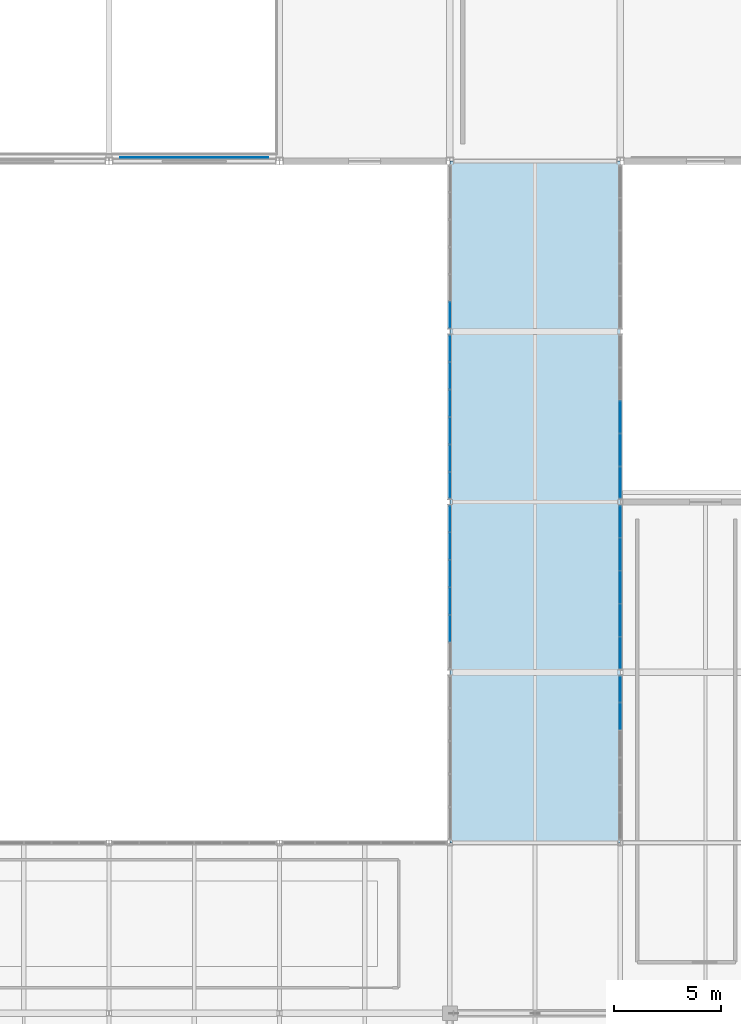
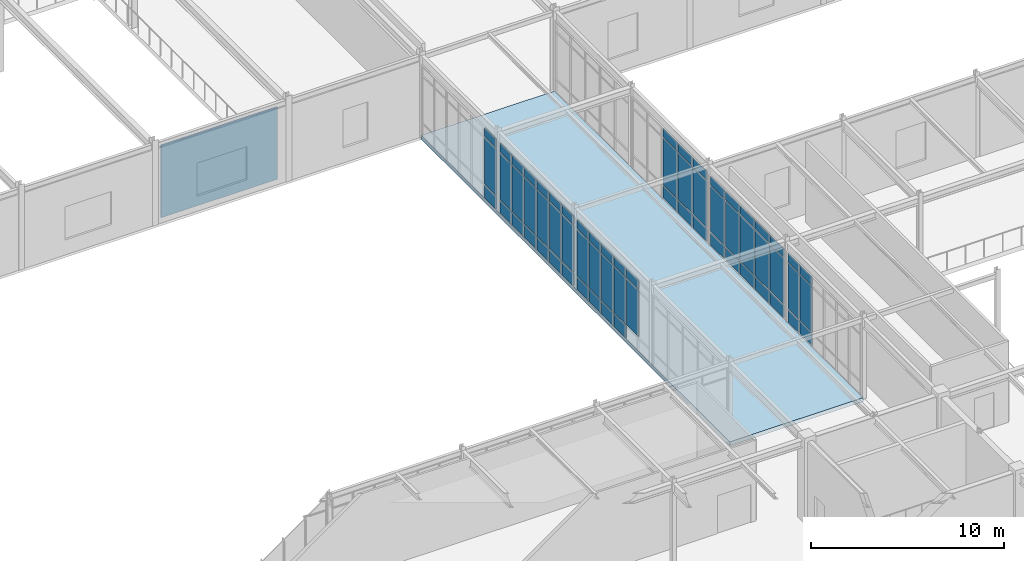
# One storey, part 94 of 184: 66 plates, 1 slab, 6 elements without a shape of their own.
"""IFC4 building model written with IfcOpenShell, lengths in metres."""

from ifc_helpers import new_model, si_unit, direction, frame, origin, origin_2d, place, context, subcontext, project, spatial, polyline, rectangle, outline, extrude, material, layer, layer_set, type_object, element, aggregate, save


model = new_model("IFC4")

# Units and contexts
model_context = context("Model", 3, precision=1e-05, world=origin(), true_north=direction((0.0, 1.0)))
body_context = subcontext(model_context, "Body", "Model", "MODEL_VIEW")
ifc_project = project(units=[si_unit("LENGTHUNIT", "METRE"), si_unit("AREAUNIT", "SQUARE_METRE"), si_unit("VOLUMEUNIT", "CUBIC_METRE"), si_unit("PLANEANGLEUNIT", "RADIAN"), si_unit("MASSUNIT", "GRAM", prefix="KILO")], contexts=[model_context])

# Site, building, storey
site_placement = place(None, origin())
site = spatial("IfcSite", under=ifc_project, at=site_placement, CompositionType="ELEMENT")
building_placement = place(site_placement, origin())
building = spatial("IfcBuilding", under=site, at=building_placement, Name="Zhaolan Boulevard Law Courts", CompositionType="ELEMENT")
storey_placement = place(building_placement, frame((0.0, 0.0, 5.39990234375)))
storey = spatial("IfcBuildingStorey", under=building, at=storey_placement, Name="L01", CompositionType="ELEMENT", Elevation=5.39990234375)

# Curtain wall, plates
ifc_material_1 = material(Name="Thermally broken aluminium and low-E glazing", Category="aluminium")
curtain_wall_type_1 = type_object("IfcCurtainWallType", Name="CURTAIN WALL M3", PredefinedType="USERDEFINED", material=ifc_material_1)
curtain_wall_1_placement = place(storey_placement, origin())
curtain_wall_1 = element("IfcCurtainWall", 1, at=curtain_wall_1_placement, inside=storey, type_object=curtain_wall_type_1, Name="Curtain Wall CW-L01-075", ObjectType="CURTAIN WALL", PredefinedType="USERDEFINED")
ifc_material_2 = material(Name="Acoustic laminated low-E glazing", Category="glass")
ifc_layer_1 = layer(ifc_material_2, 0.031982421875)
ifc_layer_set_1 = layer_set([ifc_layer_1])
plate_type_1 = type_object("IfcPlateType", Name="CWPANEL LOW E32", PredefinedType="CURTAIN_PANEL", material=ifc_layer_set_1)
plate_1_placement = place(storey_placement, frame((116.0, 45.211181640625, 0.06494140625), z_axis=(0.0, 0.0, 1.0), x_axis=(0.0, -1.0, 0.0)))
plate_1 = element("IfcPlate", 2, at=plate_1_placement, type_object=plate_type_1, Name="CW-L01-075 panel 1.1", PredefinedType="CURTAIN_PANEL", context=body_context, shape_type="SweptSolid", body=[
    extrude(rectangle(XDim=1.193603515625, YDim=0.031982421875, at=origin_2d()), origin(), (0.0, 0.0, 1.0), 0.802490234375),
])
plate_2_placement = place(storey_placement, frame((116.0, 45.211181640625, 0.9326171875), z_axis=(0.0, 0.0, 1.0), x_axis=(0.0, -1.0, 0.0)))
plate_2 = element("IfcPlate", 3, at=plate_2_placement, type_object=plate_type_1, Name="CW-L01-075 panel 1.2", PredefinedType="CURTAIN_PANEL", context=body_context, shape_type="SweptSolid", body=[
    extrude(rectangle(XDim=1.193603515625, YDim=0.031982421875, at=origin_2d()), origin(), (0.0, 0.0, 1.0), 2.93798828125),
])
plate_3_placement = place(storey_placement, frame((116.0, 45.211181640625, 3.935546875), z_axis=(0.0, 0.0, 1.0), x_axis=(0.0, -1.0, 0.0)))
plate_3 = element("IfcPlate", 4, at=plate_3_placement, type_object=plate_type_1, Name="CW-L01-075 panel 1.3", PredefinedType="CURTAIN_PANEL", context=body_context, shape_type="SweptSolid", body=[
    extrude(rectangle(XDim=1.193603515625, YDim=0.031982421875, at=origin_2d()), origin(), (0.0, 0.0, 1.0), 0.552490234375),
])
plate_4_placement = place(storey_placement, frame((116.0, 43.9365234375, 0.06494140625), z_axis=(0.0, 0.0, 1.0), x_axis=(0.0, -1.0, 0.0)))
plate_4 = element("IfcPlate", 5, at=plate_4_placement, type_object=plate_type_1, Name="CW-L01-075 panel 2.1", PredefinedType="CURTAIN_PANEL", context=body_context, shape_type="SweptSolid", body=[
    extrude(rectangle(XDim=1.22607421875, YDim=0.031982421875, at=origin_2d()), origin(), (0.0, 0.0, 1.0), 0.802490234375),
])
plate_5_placement = place(storey_placement, frame((116.0, 43.9365234375, 0.9326171875), z_axis=(0.0, 0.0, 1.0), x_axis=(0.0, -1.0, 0.0)))
plate_5 = element("IfcPlate", 6, at=plate_5_placement, type_object=plate_type_1, Name="CW-L01-075 panel 2.2", PredefinedType="CURTAIN_PANEL", context=body_context, shape_type="SweptSolid", body=[
    extrude(rectangle(XDim=1.22607421875, YDim=0.031982421875, at=origin_2d()), origin(), (0.0, 0.0, 1.0), 2.93798828125),
])
plate_6_placement = place(storey_placement, frame((116.0, 43.9365234375, 3.935546875), z_axis=(0.0, 0.0, 1.0), x_axis=(0.0, -1.0, 0.0)))
plate_6 = element("IfcPlate", 7, at=plate_6_placement, type_object=plate_type_1, Name="CW-L01-075 panel 2.3", PredefinedType="CURTAIN_PANEL", context=body_context, shape_type="SweptSolid", body=[
    extrude(rectangle(XDim=1.22607421875, YDim=0.031982421875, at=origin_2d()), origin(), (0.0, 0.0, 1.0), 0.552490234375),
])
plate_7_placement = place(storey_placement, frame((116.0, 42.6455078125, 0.06494140625), z_axis=(0.0, 0.0, 1.0), x_axis=(0.0, -1.0, 0.0)))
plate_7 = element("IfcPlate", 8, at=plate_7_placement, type_object=plate_type_1, Name="CW-L01-075 panel 3.1", PredefinedType="CURTAIN_PANEL", context=body_context, shape_type="SweptSolid", body=[
    extrude(rectangle(XDim=1.22607421875, YDim=0.031982421875, at=origin_2d()), origin(), (0.0, 0.0, 1.0), 0.802490234375),
])
plate_8_placement = place(storey_placement, frame((116.0, 42.6455078125, 0.9326171875), z_axis=(0.0, 0.0, 1.0), x_axis=(0.0, -1.0, 0.0)))
plate_8 = element("IfcPlate", 9, at=plate_8_placement, type_object=plate_type_1, Name="CW-L01-075 panel 3.2", PredefinedType="CURTAIN_PANEL", context=body_context, shape_type="SweptSolid", body=[
    extrude(rectangle(XDim=1.22607421875, YDim=0.031982421875, at=origin_2d()), origin(), (0.0, 0.0, 1.0), 2.93798828125),
])
plate_9_placement = place(storey_placement, frame((116.0, 42.6455078125, 3.935546875), z_axis=(0.0, 0.0, 1.0), x_axis=(0.0, -1.0, 0.0)))
plate_9 = element("IfcPlate", 10, at=plate_9_placement, type_object=plate_type_1, Name="CW-L01-075 panel 3.3", PredefinedType="CURTAIN_PANEL", context=body_context, shape_type="SweptSolid", body=[
    extrude(rectangle(XDim=1.22607421875, YDim=0.031982421875, at=origin_2d()), origin(), (0.0, 0.0, 1.0), 0.552490234375),
])
plate_10_placement = place(storey_placement, frame((116.0, 41.3544921875, 0.06494140625), z_axis=(0.0, 0.0, 1.0), x_axis=(0.0, -1.0, 0.0)))
plate_10 = element("IfcPlate", 11, at=plate_10_placement, type_object=plate_type_1, Name="CW-L01-075 panel 4.1", PredefinedType="CURTAIN_PANEL", context=body_context, shape_type="SweptSolid", body=[
    extrude(rectangle(XDim=1.22607421875, YDim=0.031982421875, at=origin_2d()), origin(), (0.0, 0.0, 1.0), 0.802490234375),
])
plate_11_placement = place(storey_placement, frame((116.0, 41.3544921875, 0.9326171875), z_axis=(0.0, 0.0, 1.0), x_axis=(0.0, -1.0, 0.0)))
plate_11 = element("IfcPlate", 12, at=plate_11_placement, type_object=plate_type_1, Name="CW-L01-075 panel 4.2", PredefinedType="CURTAIN_PANEL", context=body_context, shape_type="SweptSolid", body=[
    extrude(rectangle(XDim=1.22607421875, YDim=0.031982421875, at=origin_2d()), origin(), (0.0, 0.0, 1.0), 2.93798828125),
])
plate_12_placement = place(storey_placement, frame((116.0, 41.3544921875, 3.935546875), z_axis=(0.0, 0.0, 1.0), x_axis=(0.0, -1.0, 0.0)))
plate_12 = element("IfcPlate", 13, at=plate_12_placement, type_object=plate_type_1, Name="CW-L01-075 panel 4.3", PredefinedType="CURTAIN_PANEL", context=body_context, shape_type="SweptSolid", body=[
    extrude(rectangle(XDim=1.22607421875, YDim=0.031982421875, at=origin_2d()), origin(), (0.0, 0.0, 1.0), 0.552490234375),
])
plate_13_placement = place(storey_placement, frame((116.0, 40.0634765625, 0.9326171875), z_axis=(0.0, 0.0, 1.0), x_axis=(0.0, -1.0, 0.0)))
plate_13 = element("IfcPlate", 14, at=plate_13_placement, type_object=plate_type_1, Name="CW-L01-075 panel 5.2", PredefinedType="CURTAIN_PANEL", context=body_context, shape_type="SweptSolid", body=[
    extrude(rectangle(XDim=1.22607421875, YDim=0.031982421875, at=origin_2d()), origin(), (0.0, 0.0, 1.0), 2.93798828125),
])
plate_14_placement = place(storey_placement, frame((116.0, 40.0634765625, 3.935546875), z_axis=(0.0, 0.0, 1.0), x_axis=(0.0, -1.0, 0.0)))
plate_14 = element("IfcPlate", 15, at=plate_14_placement, type_object=plate_type_1, Name="CW-L01-075 panel 5.3", PredefinedType="CURTAIN_PANEL", context=body_context, shape_type="SweptSolid", body=[
    extrude(rectangle(XDim=1.22607421875, YDim=0.031982421875, at=origin_2d()), origin(), (0.0, 0.0, 1.0), 0.552490234375),
])
aggregate(curtain_wall_1, [plate_1, plate_2, plate_3, plate_4, plate_5, plate_6, plate_7, plate_8, plate_9, plate_10, plate_11, plate_12, plate_13, plate_14])

ifc_material_3 = material(Name="Thermally broken aluminium and low-E glazing", Category="aluminium")
curtain_wall_type_2 = type_object("IfcCurtainWallType", Name="CURTAIN WALL M4", PredefinedType="USERDEFINED", material=ifc_material_3)
curtain_wall_2_placement = place(storey_placement, origin())
curtain_wall_2 = element("IfcCurtainWall", 16, at=curtain_wall_2_placement, inside=storey, type_object=curtain_wall_type_2, Name="Curtain Wall CW-L01-076", ObjectType="CURTAIN WALL", PredefinedType="USERDEFINED")
plate_15_placement = place(storey_placement, frame((116.0, 53.211181640625, 0.06494140625), z_axis=(0.0, 0.0, 1.0), x_axis=(0.0, -1.0, 0.0)))
plate_15 = element("IfcPlate", 17, at=plate_15_placement, type_object=plate_type_1, Name="CW-L01-076 panel 1.1", PredefinedType="CURTAIN_PANEL", context=body_context, shape_type="SweptSolid", body=[
    extrude(rectangle(XDim=1.193603515625, YDim=0.031982421875, at=origin_2d()), origin(), (0.0, 0.0, 1.0), 0.802490234375),
])
plate_16_placement = place(storey_placement, frame((116.0, 53.211181640625, 0.9326171875), z_axis=(0.0, 0.0, 1.0), x_axis=(0.0, -1.0, 0.0)))
plate_16 = element("IfcPlate", 18, at=plate_16_placement, type_object=plate_type_1, Name="CW-L01-076 panel 1.2", PredefinedType="CURTAIN_PANEL", context=body_context, shape_type="SweptSolid", body=[
    extrude(rectangle(XDim=1.193603515625, YDim=0.031982421875, at=origin_2d()), origin(), (0.0, 0.0, 1.0), 2.93798828125),
])
plate_17_placement = place(storey_placement, frame((116.0, 53.211181640625, 3.935546875), z_axis=(0.0, 0.0, 1.0), x_axis=(0.0, -1.0, 0.0)))
plate_17 = element("IfcPlate", 19, at=plate_17_placement, type_object=plate_type_1, Name="CW-L01-076 panel 1.3", PredefinedType="CURTAIN_PANEL", context=body_context, shape_type="SweptSolid", body=[
    extrude(rectangle(XDim=1.193603515625, YDim=0.031982421875, at=origin_2d()), origin(), (0.0, 0.0, 1.0), 0.552490234375),
])
plate_18_placement = place(storey_placement, frame((116.0, 51.9365234375, 0.06494140625), z_axis=(0.0, 0.0, 1.0), x_axis=(0.0, -1.0, 0.0)))
plate_18 = element("IfcPlate", 20, at=plate_18_placement, type_object=plate_type_1, Name="CW-L01-076 panel 2.1", PredefinedType="CURTAIN_PANEL", context=body_context, shape_type="SweptSolid", body=[
    extrude(rectangle(XDim=1.22607421875, YDim=0.031982421875, at=origin_2d()), origin(), (0.0, 0.0, 1.0), 0.802490234375),
])
plate_19_placement = place(storey_placement, frame((116.0, 51.9365234375, 0.9326171875), z_axis=(0.0, 0.0, 1.0), x_axis=(0.0, -1.0, 0.0)))
plate_19 = element("IfcPlate", 21, at=plate_19_placement, type_object=plate_type_1, Name="CW-L01-076 panel 2.2", PredefinedType="CURTAIN_PANEL", context=body_context, shape_type="SweptSolid", body=[
    extrude(rectangle(XDim=1.22607421875, YDim=0.031982421875, at=origin_2d()), origin(), (0.0, 0.0, 1.0), 2.93798828125),
])
plate_20_placement = place(storey_placement, frame((116.0, 51.9365234375, 3.935546875), z_axis=(0.0, 0.0, 1.0), x_axis=(0.0, -1.0, 0.0)))
plate_20 = element("IfcPlate", 22, at=plate_20_placement, type_object=plate_type_1, Name="CW-L01-076 panel 2.3", PredefinedType="CURTAIN_PANEL", context=body_context, shape_type="SweptSolid", body=[
    extrude(rectangle(XDim=1.22607421875, YDim=0.031982421875, at=origin_2d()), origin(), (0.0, 0.0, 1.0), 0.552490234375),
])
plate_21_placement = place(storey_placement, frame((116.0, 50.6455078125, 0.06494140625), z_axis=(0.0, 0.0, 1.0), x_axis=(0.0, -1.0, 0.0)))
plate_21 = element("IfcPlate", 23, at=plate_21_placement, type_object=plate_type_1, Name="CW-L01-076 panel 3.1", PredefinedType="CURTAIN_PANEL", context=body_context, shape_type="SweptSolid", body=[
    extrude(rectangle(XDim=1.22607421875, YDim=0.031982421875, at=origin_2d()), origin(), (0.0, 0.0, 1.0), 0.802490234375),
])
plate_22_placement = place(storey_placement, frame((116.0, 50.6455078125, 0.9326171875), z_axis=(0.0, 0.0, 1.0), x_axis=(0.0, -1.0, 0.0)))
plate_22 = element("IfcPlate", 24, at=plate_22_placement, type_object=plate_type_1, Name="CW-L01-076 panel 3.2", PredefinedType="CURTAIN_PANEL", context=body_context, shape_type="SweptSolid", body=[
    extrude(rectangle(XDim=1.22607421875, YDim=0.031982421875, at=origin_2d()), origin(), (0.0, 0.0, 1.0), 2.93798828125),
])
plate_23_placement = place(storey_placement, frame((116.0, 50.6455078125, 3.935546875), z_axis=(0.0, 0.0, 1.0), x_axis=(0.0, -1.0, 0.0)))
plate_23 = element("IfcPlate", 25, at=plate_23_placement, type_object=plate_type_1, Name="CW-L01-076 panel 3.3", PredefinedType="CURTAIN_PANEL", context=body_context, shape_type="SweptSolid", body=[
    extrude(rectangle(XDim=1.22607421875, YDim=0.031982421875, at=origin_2d()), origin(), (0.0, 0.0, 1.0), 0.552490234375),
])
plate_24_placement = place(storey_placement, frame((116.0, 49.3544921875, 0.06494140625), z_axis=(0.0, 0.0, 1.0), x_axis=(0.0, -1.0, 0.0)))
plate_24 = element("IfcPlate", 26, at=plate_24_placement, type_object=plate_type_1, Name="CW-L01-076 panel 4.1", PredefinedType="CURTAIN_PANEL", context=body_context, shape_type="SweptSolid", body=[
    extrude(rectangle(XDim=1.22607421875, YDim=0.031982421875, at=origin_2d()), origin(), (0.0, 0.0, 1.0), 0.802490234375),
])
plate_25_placement = place(storey_placement, frame((116.0, 49.3544921875, 0.9326171875), z_axis=(0.0, 0.0, 1.0), x_axis=(0.0, -1.0, 0.0)))
plate_25 = element("IfcPlate", 27, at=plate_25_placement, type_object=plate_type_1, Name="CW-L01-076 panel 4.2", PredefinedType="CURTAIN_PANEL", context=body_context, shape_type="SweptSolid", body=[
    extrude(rectangle(XDim=1.22607421875, YDim=0.031982421875, at=origin_2d()), origin(), (0.0, 0.0, 1.0), 2.93798828125),
])
plate_26_placement = place(storey_placement, frame((116.0, 49.3544921875, 3.935546875), z_axis=(0.0, 0.0, 1.0), x_axis=(0.0, -1.0, 0.0)))
plate_26 = element("IfcPlate", 28, at=plate_26_placement, type_object=plate_type_1, Name="CW-L01-076 panel 4.3", PredefinedType="CURTAIN_PANEL", context=body_context, shape_type="SweptSolid", body=[
    extrude(rectangle(XDim=1.22607421875, YDim=0.031982421875, at=origin_2d()), origin(), (0.0, 0.0, 1.0), 0.552490234375),
])
plate_27_placement = place(storey_placement, frame((116.0, 48.0634765625, 0.06494140625), z_axis=(0.0, 0.0, 1.0), x_axis=(0.0, -1.0, 0.0)))
plate_27 = element("IfcPlate", 29, at=plate_27_placement, type_object=plate_type_1, Name="CW-L01-076 panel 5.1", PredefinedType="CURTAIN_PANEL", context=body_context, shape_type="SweptSolid", body=[
    extrude(rectangle(XDim=1.22607421875, YDim=0.031982421875, at=origin_2d()), origin(), (0.0, 0.0, 1.0), 0.802490234375),
])
plate_28_placement = place(storey_placement, frame((116.0, 48.0634765625, 0.9326171875), z_axis=(0.0, 0.0, 1.0), x_axis=(0.0, -1.0, 0.0)))
plate_28 = element("IfcPlate", 30, at=plate_28_placement, type_object=plate_type_1, Name="CW-L01-076 panel 5.2", PredefinedType="CURTAIN_PANEL", context=body_context, shape_type="SweptSolid", body=[
    extrude(rectangle(XDim=1.22607421875, YDim=0.031982421875, at=origin_2d()), origin(), (0.0, 0.0, 1.0), 2.93798828125),
])
plate_29_placement = place(storey_placement, frame((116.0, 48.0634765625, 3.935546875), z_axis=(0.0, 0.0, 1.0), x_axis=(0.0, -1.0, 0.0)))
plate_29 = element("IfcPlate", 31, at=plate_29_placement, type_object=plate_type_1, Name="CW-L01-076 panel 5.3", PredefinedType="CURTAIN_PANEL", context=body_context, shape_type="SweptSolid", body=[
    extrude(rectangle(XDim=1.22607421875, YDim=0.031982421875, at=origin_2d()), origin(), (0.0, 0.0, 1.0), 0.552490234375),
])
plate_30_placement = place(storey_placement, frame((116.0, 46.788818359375, 0.06494140625), z_axis=(0.0, 0.0, 1.0), x_axis=(0.0, -1.0, 0.0)))
plate_30 = element("IfcPlate", 32, at=plate_30_placement, type_object=plate_type_1, Name="CW-L01-076 panel 6.1", PredefinedType="CURTAIN_PANEL", context=body_context, shape_type="SweptSolid", body=[
    extrude(rectangle(XDim=1.193603515625, YDim=0.031982421875, at=origin_2d()), origin(), (0.0, 0.0, 1.0), 0.802490234375),
])
plate_31_placement = place(storey_placement, frame((116.0, 46.788818359375, 0.9326171875), z_axis=(0.0, 0.0, 1.0), x_axis=(0.0, -1.0, 0.0)))
plate_31 = element("IfcPlate", 33, at=plate_31_placement, type_object=plate_type_1, Name="CW-L01-076 panel 6.2", PredefinedType="CURTAIN_PANEL", context=body_context, shape_type="SweptSolid", body=[
    extrude(rectangle(XDim=1.193603515625, YDim=0.031982421875, at=origin_2d()), origin(), (0.0, 0.0, 1.0), 2.93798828125),
])
plate_32_placement = place(storey_placement, frame((116.0, 46.788818359375, 3.935546875), z_axis=(0.0, 0.0, 1.0), x_axis=(0.0, -1.0, 0.0)))
plate_32 = element("IfcPlate", 34, at=plate_32_placement, type_object=plate_type_1, Name="CW-L01-076 panel 6.3", PredefinedType="CURTAIN_PANEL", context=body_context, shape_type="SweptSolid", body=[
    extrude(rectangle(XDim=1.193603515625, YDim=0.031982421875, at=origin_2d()), origin(), (0.0, 0.0, 1.0), 0.552490234375),
])
aggregate(curtain_wall_2, [plate_15, plate_16, plate_17, plate_18, plate_19, plate_20, plate_21, plate_22, plate_23, plate_24, plate_25, plate_26, plate_27, plate_28, plate_29, plate_30, plate_31, plate_32])

ifc_material_4 = material(Name="Thermally broken aluminium and low-E glazing", Category="aluminium")
curtain_wall_type_3 = type_object("IfcCurtainWallType", Name="CURTAIN WALL M5", PredefinedType="USERDEFINED", material=ifc_material_4)
curtain_wall_3_placement = place(storey_placement, origin())
curtain_wall_3 = element("IfcCurtainWall", 35, at=curtain_wall_3_placement, inside=storey, type_object=curtain_wall_type_3, Name="Curtain Wall CW-L01-077", ObjectType="CURTAIN WALL", PredefinedType="USERDEFINED")
plate_33_placement = place(storey_placement, frame((116.0, 54.78466796875, 0.06494140625), z_axis=(0.0, 0.0, 1.0), x_axis=(0.0, -1.0, 0.0)))
plate_33 = element("IfcPlate", 36, at=plate_33_placement, type_object=plate_type_1, Name="CW-L01-077 panel 6.1", PredefinedType="CURTAIN_PANEL", context=body_context, shape_type="SweptSolid", body=[
    extrude(rectangle(XDim=1.18505859375, YDim=0.031982421875, at=origin_2d()), origin(), (0.0, 0.0, 1.0), 0.802490234375),
])
plate_34_placement = place(storey_placement, frame((116.0, 54.78466796875, 0.9326171875), z_axis=(0.0, 0.0, 1.0), x_axis=(0.0, -1.0, 0.0)))
plate_34 = element("IfcPlate", 37, at=plate_34_placement, type_object=plate_type_1, Name="CW-L01-077 panel 6.2", PredefinedType="CURTAIN_PANEL", context=body_context, shape_type="SweptSolid", body=[
    extrude(rectangle(XDim=1.18505859375, YDim=0.031982421875, at=origin_2d()), origin(), (0.0, 0.0, 1.0), 2.93798828125),
])
plate_35_placement = place(storey_placement, frame((116.0, 54.78466796875, 3.935546875), z_axis=(0.0, 0.0, 1.0), x_axis=(0.0, -1.0, 0.0)))
plate_35 = element("IfcPlate", 38, at=plate_35_placement, type_object=plate_type_1, Name="CW-L01-077 panel 6.3", PredefinedType="CURTAIN_PANEL", context=body_context, shape_type="SweptSolid", body=[
    extrude(rectangle(XDim=1.18505859375, YDim=0.031982421875, at=origin_2d()), origin(), (0.0, 0.0, 1.0), 0.552490234375),
])
aggregate(curtain_wall_3, [plate_33, plate_34, plate_35])

ifc_material_5 = material(Name="Thermally broken aluminium and low-E glazing", Category="aluminium")
curtain_wall_type_4 = type_object("IfcCurtainWallType", Name="CURTAIN WALL M6", PredefinedType="USERDEFINED", material=ifc_material_5)
curtain_wall_4_placement = place(storey_placement, origin())
curtain_wall_4 = element("IfcCurtainWall", 39, at=curtain_wall_4_placement, inside=storey, type_object=curtain_wall_type_4, Name="Curtain Wall CW-L01-078", ObjectType="CURTAIN WALL", PredefinedType="USERDEFINED")
plate_36_placement = place(storey_placement, frame((124.0, 35.9365234375, 0.06494140625), z_axis=(0.0, 0.0, 1.0), x_axis=(0.0, 1.0, 0.0)))
plate_36 = element("IfcPlate", 40, at=plate_36_placement, type_object=plate_type_1, Name="CW-L01-078 panel 5.1", PredefinedType="CURTAIN_PANEL", context=body_context, shape_type="SweptSolid", body=[
    extrude(rectangle(XDim=1.22607421875, YDim=0.031982421875, at=origin_2d()), origin(), (0.0, 0.0, 1.0), 0.802490234375),
])
plate_37_placement = place(storey_placement, frame((124.0, 35.9365234375, 0.9326171875), z_axis=(0.0, 0.0, 1.0), x_axis=(0.0, 1.0, 0.0)))
plate_37 = element("IfcPlate", 41, at=plate_37_placement, type_object=plate_type_1, Name="CW-L01-078 panel 5.2", PredefinedType="CURTAIN_PANEL", context=body_context, shape_type="SweptSolid", body=[
    extrude(rectangle(XDim=1.22607421875, YDim=0.031982421875, at=origin_2d()), origin(), (0.0, 0.0, 1.0), 2.887939453125),
])
plate_38_placement = place(storey_placement, frame((124.0, 35.9365234375, 3.8857421875), z_axis=(0.0, 0.0, 1.0), x_axis=(0.0, 1.0, 0.0)))
plate_38 = element("IfcPlate", 42, at=plate_38_placement, type_object=plate_type_1, Name="CW-L01-078 panel 5.3", PredefinedType="CURTAIN_PANEL", context=body_context, shape_type="SweptSolid", body=[
    extrude(rectangle(XDim=1.22607421875, YDim=0.031982421875, at=origin_2d()), origin(), (0.0, 0.0, 1.0), 0.552490234375),
])
plate_39_placement = place(storey_placement, frame((124.0, 37.211181640625, 0.06494140625), z_axis=(0.0, 0.0, 1.0), x_axis=(0.0, 1.0, 0.0)))
plate_39 = element("IfcPlate", 43, at=plate_39_placement, type_object=plate_type_1, Name="CW-L01-078 panel 6.1", PredefinedType="CURTAIN_PANEL", context=body_context, shape_type="SweptSolid", body=[
    extrude(rectangle(XDim=1.193603515625, YDim=0.031982421875, at=origin_2d()), origin(), (0.0, 0.0, 1.0), 0.802490234375),
])
plate_40_placement = place(storey_placement, frame((124.0, 37.211181640625, 0.9326171875), z_axis=(0.0, 0.0, 1.0), x_axis=(0.0, 1.0, 0.0)))
plate_40 = element("IfcPlate", 44, at=plate_40_placement, type_object=plate_type_1, Name="CW-L01-078 panel 6.2", PredefinedType="CURTAIN_PANEL", context=body_context, shape_type="SweptSolid", body=[
    extrude(rectangle(XDim=1.193603515625, YDim=0.031982421875, at=origin_2d()), origin(), (0.0, 0.0, 1.0), 2.887939453125),
])
plate_41_placement = place(storey_placement, frame((124.0, 37.211181640625, 3.8857421875), z_axis=(0.0, 0.0, 1.0), x_axis=(0.0, 1.0, 0.0)))
plate_41 = element("IfcPlate", 45, at=plate_41_placement, type_object=plate_type_1, Name="CW-L01-078 panel 6.3", PredefinedType="CURTAIN_PANEL", context=body_context, shape_type="SweptSolid", body=[
    extrude(rectangle(XDim=1.193603515625, YDim=0.031982421875, at=origin_2d()), origin(), (0.0, 0.0, 1.0), 0.552490234375),
])
aggregate(curtain_wall_4, [plate_36, plate_37, plate_38, plate_39, plate_40, plate_41])

ifc_material_6 = material(Name="Thermally broken aluminium and low-E glazing", Category="aluminium")
curtain_wall_type_5 = type_object("IfcCurtainWallType", Name="CURTAIN WALL M7", PredefinedType="USERDEFINED", material=ifc_material_6)
curtain_wall_5_placement = place(storey_placement, origin())
curtain_wall_5 = element("IfcCurtainWall", 46, at=curtain_wall_5_placement, inside=storey, type_object=curtain_wall_type_5, Name="Curtain Wall CW-L01-079", ObjectType="CURTAIN WALL", PredefinedType="USERDEFINED")
plate_42_placement = place(storey_placement, frame((124.0, 38.91796875, 0.06494140625), z_axis=(0.0, 0.0, 1.0), x_axis=(0.0, 1.0, 0.0)))
plate_42 = element("IfcPlate", 47, at=plate_42_placement, type_object=plate_type_1, Name="CW-L01-079 panel 1.1", PredefinedType="CURTAIN_PANEL", context=body_context, shape_type="SweptSolid", body=[
    extrude(rectangle(XDim=1.45166015625, YDim=0.031982421875, at=origin_2d()), origin(), (0.0, 0.0, 1.0), 0.802490234375),
])
plate_43_placement = place(storey_placement, frame((124.0, 38.91796875, 0.9326171875), z_axis=(0.0, 0.0, 1.0), x_axis=(0.0, 1.0, 0.0)))
plate_43 = element("IfcPlate", 48, at=plate_43_placement, type_object=plate_type_1, Name="CW-L01-079 panel 1.2", PredefinedType="CURTAIN_PANEL", context=body_context, shape_type="SweptSolid", body=[
    extrude(rectangle(XDim=1.45166015625, YDim=0.031982421875, at=origin_2d()), origin(), (0.0, 0.0, 1.0), 2.887939453125),
])
plate_44_placement = place(storey_placement, frame((124.0, 38.91796875, 3.8857421875), z_axis=(0.0, 0.0, 1.0), x_axis=(0.0, 1.0, 0.0)))
plate_44 = element("IfcPlate", 49, at=plate_44_placement, type_object=plate_type_1, Name="CW-L01-079 panel 1.3", PredefinedType="CURTAIN_PANEL", context=body_context, shape_type="SweptSolid", body=[
    extrude(rectangle(XDim=1.45166015625, YDim=0.031982421875, at=origin_2d()), origin(), (0.0, 0.0, 1.0), 0.552490234375),
])
plate_45_placement = place(storey_placement, frame((124.0, 40.45068359375, 0.06494140625), z_axis=(0.0, 0.0, 1.0), x_axis=(0.0, 1.0, 0.0)))
plate_45 = element("IfcPlate", 50, at=plate_45_placement, type_object=plate_type_1, Name="CW-L01-079 panel 2.1", PredefinedType="CURTAIN_PANEL", context=body_context, shape_type="SweptSolid", body=[
    extrude(rectangle(XDim=1.484130859375, YDim=0.031982421875, at=origin_2d()), origin(), (0.0, 0.0, 1.0), 0.802490234375),
])
plate_46_placement = place(storey_placement, frame((124.0, 40.45068359375, 0.9326171875), z_axis=(0.0, 0.0, 1.0), x_axis=(0.0, 1.0, 0.0)))
plate_46 = element("IfcPlate", 51, at=plate_46_placement, type_object=plate_type_1, Name="CW-L01-079 panel 2.2", PredefinedType="CURTAIN_PANEL", context=body_context, shape_type="SweptSolid", body=[
    extrude(rectangle(XDim=1.484130859375, YDim=0.031982421875, at=origin_2d()), origin(), (0.0, 0.0, 1.0), 2.887939453125),
])
plate_47_placement = place(storey_placement, frame((124.0, 40.45068359375, 3.8857421875), z_axis=(0.0, 0.0, 1.0), x_axis=(0.0, 1.0, 0.0)))
plate_47 = element("IfcPlate", 52, at=plate_47_placement, type_object=plate_type_1, Name="CW-L01-079 panel 2.3", PredefinedType="CURTAIN_PANEL", context=body_context, shape_type="SweptSolid", body=[
    extrude(rectangle(XDim=1.484130859375, YDim=0.031982421875, at=origin_2d()), origin(), (0.0, 0.0, 1.0), 0.552490234375),
])
plate_48_placement = place(storey_placement, frame((124.0, 42.0, 0.06494140625), z_axis=(0.0, 0.0, 1.0), x_axis=(0.0, 1.0, 0.0)))
plate_48 = element("IfcPlate", 53, at=plate_48_placement, type_object=plate_type_1, Name="CW-L01-079 panel 3.1", PredefinedType="CURTAIN_PANEL", context=body_context, shape_type="SweptSolid", body=[
    extrude(rectangle(XDim=1.484130859375, YDim=0.031982421875, at=origin_2d()), origin(), (0.0, 0.0, 1.0), 0.802490234375),
])
plate_49_placement = place(storey_placement, frame((124.0, 42.0, 0.9326171875), z_axis=(0.0, 0.0, 1.0), x_axis=(0.0, 1.0, 0.0)))
plate_49 = element("IfcPlate", 54, at=plate_49_placement, type_object=plate_type_1, Name="CW-L01-079 panel 3.2", PredefinedType="CURTAIN_PANEL", context=body_context, shape_type="SweptSolid", body=[
    extrude(rectangle(XDim=1.484130859375, YDim=0.031982421875, at=origin_2d()), origin(), (0.0, 0.0, 1.0), 2.887939453125),
])
plate_50_placement = place(storey_placement, frame((124.0, 42.0, 3.8857421875), z_axis=(0.0, 0.0, 1.0), x_axis=(0.0, 1.0, 0.0)))
plate_50 = element("IfcPlate", 55, at=plate_50_placement, type_object=plate_type_1, Name="CW-L01-079 panel 3.3", PredefinedType="CURTAIN_PANEL", context=body_context, shape_type="SweptSolid", body=[
    extrude(rectangle(XDim=1.484130859375, YDim=0.031982421875, at=origin_2d()), origin(), (0.0, 0.0, 1.0), 0.552490234375),
])
plate_51_placement = place(storey_placement, frame((124.0, 43.54931640625, 0.06494140625), z_axis=(0.0, 0.0, 1.0), x_axis=(0.0, 1.0, 0.0)))
plate_51 = element("IfcPlate", 56, at=plate_51_placement, type_object=plate_type_1, Name="CW-L01-079 panel 4.1", PredefinedType="CURTAIN_PANEL", context=body_context, shape_type="SweptSolid", body=[
    extrude(rectangle(XDim=1.484130859375, YDim=0.031982421875, at=origin_2d()), origin(), (0.0, 0.0, 1.0), 0.802490234375),
])
plate_52_placement = place(storey_placement, frame((124.0, 43.54931640625, 0.9326171875), z_axis=(0.0, 0.0, 1.0), x_axis=(0.0, 1.0, 0.0)))
plate_52 = element("IfcPlate", 57, at=plate_52_placement, type_object=plate_type_1, Name="CW-L01-079 panel 4.2", PredefinedType="CURTAIN_PANEL", context=body_context, shape_type="SweptSolid", body=[
    extrude(rectangle(XDim=1.484130859375, YDim=0.031982421875, at=origin_2d()), origin(), (0.0, 0.0, 1.0), 2.887939453125),
])
plate_53_placement = place(storey_placement, frame((124.0, 43.54931640625, 3.8857421875), z_axis=(0.0, 0.0, 1.0), x_axis=(0.0, 1.0, 0.0)))
plate_53 = element("IfcPlate", 58, at=plate_53_placement, type_object=plate_type_1, Name="CW-L01-079 panel 4.3", PredefinedType="CURTAIN_PANEL", context=body_context, shape_type="SweptSolid", body=[
    extrude(rectangle(XDim=1.484130859375, YDim=0.031982421875, at=origin_2d()), origin(), (0.0, 0.0, 1.0), 0.552490234375),
])
plate_54_placement = place(storey_placement, frame((124.0, 45.08203125, 0.06494140625), z_axis=(0.0, 0.0, 1.0), x_axis=(0.0, 1.0, 0.0)))
plate_54 = element("IfcPlate", 59, at=plate_54_placement, type_object=plate_type_1, Name="CW-L01-079 panel 5.1", PredefinedType="CURTAIN_PANEL", context=body_context, shape_type="SweptSolid", body=[
    extrude(rectangle(XDim=1.45166015625, YDim=0.031982421875, at=origin_2d()), origin(), (0.0, 0.0, 1.0), 0.802490234375),
])
plate_55_placement = place(storey_placement, frame((124.0, 45.08203125, 0.9326171875), z_axis=(0.0, 0.0, 1.0), x_axis=(0.0, 1.0, 0.0)))
plate_55 = element("IfcPlate", 60, at=plate_55_placement, type_object=plate_type_1, Name="CW-L01-079 panel 5.2", PredefinedType="CURTAIN_PANEL", context=body_context, shape_type="SweptSolid", body=[
    extrude(rectangle(XDim=1.45166015625, YDim=0.031982421875, at=origin_2d()), origin(), (0.0, 0.0, 1.0), 2.887939453125),
])
plate_56_placement = place(storey_placement, frame((124.0, 45.08203125, 3.8857421875), z_axis=(0.0, 0.0, 1.0), x_axis=(0.0, 1.0, 0.0)))
plate_56 = element("IfcPlate", 61, at=plate_56_placement, type_object=plate_type_1, Name="CW-L01-079 panel 5.3", PredefinedType="CURTAIN_PANEL", context=body_context, shape_type="SweptSolid", body=[
    extrude(rectangle(XDim=1.45166015625, YDim=0.031982421875, at=origin_2d()), origin(), (0.0, 0.0, 1.0), 0.552490234375),
])
aggregate(curtain_wall_5, [plate_42, plate_43, plate_44, plate_45, plate_46, plate_47, plate_48, plate_49, plate_50, plate_51, plate_52, plate_53, plate_54, plate_55, plate_56])

ifc_material_7 = material(Name="Thermally broken aluminium and low-E glazing", Category="aluminium")
curtain_wall_type_6 = type_object("IfcCurtainWallType", Name="CURTAIN WALL M8", PredefinedType="USERDEFINED", material=ifc_material_7)
curtain_wall_6_placement = place(storey_placement, origin())
curtain_wall_6 = element("IfcCurtainWall", 62, at=curtain_wall_6_placement, inside=storey, type_object=curtain_wall_type_6, Name="Curtain Wall CW-L01-080", ObjectType="CURTAIN WALL", PredefinedType="USERDEFINED")
plate_57_placement = place(storey_placement, frame((124.0, 46.91796875, 0.06494140625), z_axis=(0.0, 0.0, 1.0), x_axis=(0.0, 1.0, 0.0)))
plate_57 = element("IfcPlate", 63, at=plate_57_placement, type_object=plate_type_1, Name="CW-L01-080 panel 1.1", PredefinedType="CURTAIN_PANEL", context=body_context, shape_type="SweptSolid", body=[
    extrude(rectangle(XDim=1.45166015625, YDim=0.031982421875, at=origin_2d()), origin(), (0.0, 0.0, 1.0), 0.802490234375),
])
plate_58_placement = place(storey_placement, frame((124.0, 46.91796875, 0.9326171875), z_axis=(0.0, 0.0, 1.0), x_axis=(0.0, 1.0, 0.0)))
plate_58 = element("IfcPlate", 64, at=plate_58_placement, type_object=plate_type_1, Name="CW-L01-080 panel 1.2", PredefinedType="CURTAIN_PANEL", context=body_context, shape_type="SweptSolid", body=[
    extrude(rectangle(XDim=1.45166015625, YDim=0.031982421875, at=origin_2d()), origin(), (0.0, 0.0, 1.0), 2.93798828125),
])
plate_59_placement = place(storey_placement, frame((124.0, 46.91796875, 3.935546875), z_axis=(0.0, 0.0, 1.0), x_axis=(0.0, 1.0, 0.0)))
plate_59 = element("IfcPlate", 65, at=plate_59_placement, type_object=plate_type_1, Name="CW-L01-080 panel 1.3", PredefinedType="CURTAIN_PANEL", context=body_context, shape_type="SweptSolid", body=[
    extrude(rectangle(XDim=1.45166015625, YDim=0.031982421875, at=origin_2d()), origin(), (0.0, 0.0, 1.0), 0.552490234375),
])
plate_60_placement = place(storey_placement, frame((124.0, 48.45068359375, 0.06494140625), z_axis=(0.0, 0.0, 1.0), x_axis=(0.0, 1.0, 0.0)))
plate_60 = element("IfcPlate", 66, at=plate_60_placement, type_object=plate_type_1, Name="CW-L01-080 panel 2.1", PredefinedType="CURTAIN_PANEL", context=body_context, shape_type="SweptSolid", body=[
    extrude(rectangle(XDim=1.484130859375, YDim=0.031982421875, at=origin_2d()), origin(), (0.0, 0.0, 1.0), 0.802490234375),
])
plate_61_placement = place(storey_placement, frame((124.0, 48.45068359375, 0.9326171875), z_axis=(0.0, 0.0, 1.0), x_axis=(0.0, 1.0, 0.0)))
plate_61 = element("IfcPlate", 67, at=plate_61_placement, type_object=plate_type_1, Name="CW-L01-080 panel 2.2", PredefinedType="CURTAIN_PANEL", context=body_context, shape_type="SweptSolid", body=[
    extrude(rectangle(XDim=1.484130859375, YDim=0.031982421875, at=origin_2d()), origin(), (0.0, 0.0, 1.0), 2.93798828125),
])
plate_62_placement = place(storey_placement, frame((124.0, 48.45068359375, 3.935546875), z_axis=(0.0, 0.0, 1.0), x_axis=(0.0, 1.0, 0.0)))
plate_62 = element("IfcPlate", 68, at=plate_62_placement, type_object=plate_type_1, Name="CW-L01-080 panel 2.3", PredefinedType="CURTAIN_PANEL", context=body_context, shape_type="SweptSolid", body=[
    extrude(rectangle(XDim=1.484130859375, YDim=0.031982421875, at=origin_2d()), origin(), (0.0, 0.0, 1.0), 0.552490234375),
])
plate_63_placement = place(storey_placement, frame((124.0, 50.0, 0.06494140625), z_axis=(0.0, 0.0, 1.0), x_axis=(0.0, 1.0, 0.0)))
plate_63 = element("IfcPlate", 69, at=plate_63_placement, type_object=plate_type_1, Name="CW-L01-080 panel 3.1", PredefinedType="CURTAIN_PANEL", context=body_context, shape_type="SweptSolid", body=[
    extrude(rectangle(XDim=1.484130859375, YDim=0.031982421875, at=origin_2d()), origin(), (0.0, 0.0, 1.0), 0.802490234375),
])
plate_64_placement = place(storey_placement, frame((124.0, 50.0, 0.9326171875), z_axis=(0.0, 0.0, 1.0), x_axis=(0.0, 1.0, 0.0)))
plate_64 = element("IfcPlate", 70, at=plate_64_placement, type_object=plate_type_1, Name="CW-L01-080 panel 3.2", PredefinedType="CURTAIN_PANEL", context=body_context, shape_type="SweptSolid", body=[
    extrude(rectangle(XDim=1.484130859375, YDim=0.031982421875, at=origin_2d()), origin(), (0.0, 0.0, 1.0), 2.93798828125),
])
plate_65_placement = place(storey_placement, frame((124.0, 50.0, 3.935546875), z_axis=(0.0, 0.0, 1.0), x_axis=(0.0, 1.0, 0.0)))
plate_65 = element("IfcPlate", 71, at=plate_65_placement, type_object=plate_type_1, Name="CW-L01-080 panel 3.3", PredefinedType="CURTAIN_PANEL", context=body_context, shape_type="SweptSolid", body=[
    extrude(rectangle(XDim=1.484130859375, YDim=0.031982421875, at=origin_2d()), origin(), (0.0, 0.0, 1.0), 0.552490234375),
])
aggregate(curtain_wall_6, [plate_57, plate_58, plate_59, plate_60, plate_61, plate_62, plate_63, plate_64, plate_65])

# Slab
ifc_material_8 = material(Name="Concrete C40", Category="concrete")
ifc_layer_2 = layer(ifc_material_8, 0.25)
ifc_layer_set_2 = layer_set([ifc_layer_2])
slab_type = type_object("IfcSlabType", Name="FLOOR SLAB 250", PredefinedType="FLOOR", material=ifc_layer_set_2)
slab_placement = place(storey_placement, frame((0.0, 0.0, -0.25)))
element("IfcSlab", 72, at=slab_placement, inside=storey, type_object=slab_type, Name="Slab SLB-L01-BR2", PredefinedType="FLOOR", context=body_context, shape_type="SweptSolid", body=[
    extrude(outline(polyline([(116.0, 30.0), (124.0, 30.0), (124.0, 62.0), (116.0, 62.0), (116.0, 30.0)])), origin(), (0.0, 0.0, 1.0), 0.25),
])

# Plate
ifc_material_9 = material(Name="Pale mist-grey standing-seam Al-Mg-Mn zinc-titanium")
ifc_layer_3 = layer(ifc_material_9, 0.0400390625)
ifc_layer_set_3 = layer_set([ifc_layer_3])
plate_type_2 = type_object("IfcPlateType", Name="STANDING SEAM PLATE 40", PredefinedType="SHEET", material=ifc_layer_set_3)
plate_66_placement = place(storey_placement, frame((104.0, 62.169921875, 0.099609375), z_axis=(0.0, 0.0, 1.0), x_axis=(1.0, 0.0, 0.0)))
element("IfcPlate", 73, at=plate_66_placement, inside=storey, type_object=plate_type_2, Name="Standing-Seam Metal Wall Cladding SSP-L01-210", PredefinedType="SHEET", context=body_context, shape_type="SweptSolid", body=[
    extrude(rectangle(XDim=6.9599609375, YDim=0.0400390625, at=origin_2d()), origin(), (0.0, 0.0, 1.0), 4.60302734375),
])

save(model, "model.ifc")
